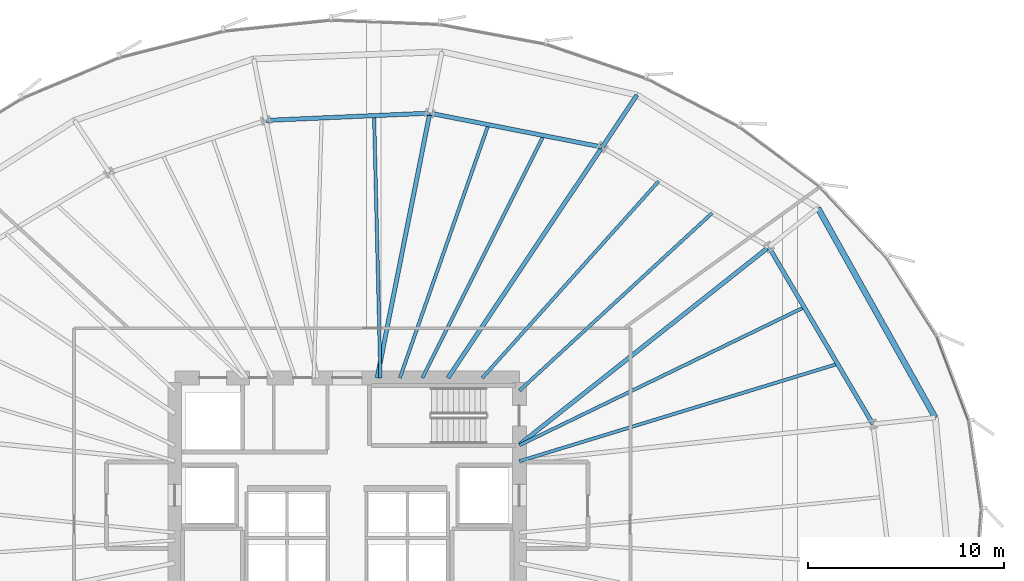
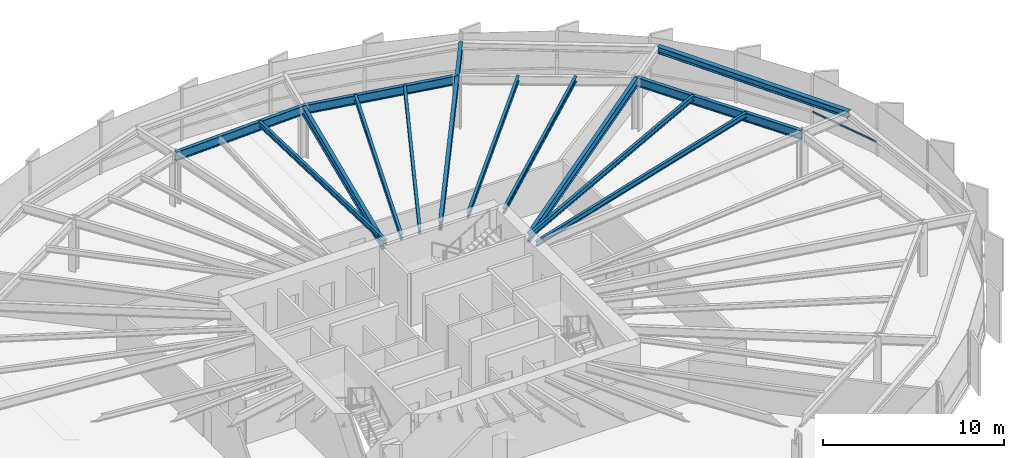
# One storey, part 26 of 42: 15 beams, 1 member, 1 element without a shape of its own.
"""IFC4 building model written with IfcOpenShell, lengths in metres."""

from ifc_helpers import new_model, si_unit, direction, frame, origin, origin_2d, place, context, subcontext, project, spatial, hollow_rectangle, i_section, extrude, source, transform, mapped, material, layer, layer_set, material_profile, profile_set, type_object, element, aggregate, save


model = new_model("IFC4")

# Units and contexts
model_context = context("Model", 3, precision=1e-05, world=origin(), true_north=direction((0.0, 1.0)))
body_context = subcontext(model_context, "Body", "Model", "MODEL_VIEW")
ifc_project = project(units=[si_unit("LENGTHUNIT", "METRE"), si_unit("AREAUNIT", "SQUARE_METRE"), si_unit("VOLUMEUNIT", "CUBIC_METRE"), si_unit("PLANEANGLEUNIT", "RADIAN"), si_unit("MASSUNIT", "GRAM", prefix="KILO"), si_unit("THERMODYNAMICTEMPERATUREUNIT", "KELVIN")], contexts=[model_context])

# Site, building, storey
site_placement = place(None, origin())
site = spatial("IfcSite", under=ifc_project, at=site_placement, CompositionType="ELEMENT")
building_placement = place(site_placement, origin())
building = spatial("IfcBuilding", under=site, at=building_placement, Name="Kethvar Cultural Tower", CompositionType="ELEMENT")
storey_placement = place(building_placement, frame((0.0, 0.0, 37.199951171875)))
storey = spatial("IfcBuildingStorey", under=building, at=storey_placement, Name="L08", CompositionType="ELEMENT", Elevation=37.199951171875)

# Beams
ifc_material_1 = material(Name="Steel S355J2", Category="steel")
ifc_material_profile_1 = material_profile(ifc_material_1, i_section(OverallWidth=0.219970703125, OverallDepth=0.60009765625, WebThickness=0.011962890625, FlangeThickness=0.01904296875, FilletRadius=0.02392578125, at=origin_2d()), Name="Steel S355J2 — IPE600")
ifc_profile_set_1 = profile_set([ifc_material_profile_1], Name="Steel S355J2 — IPE600")
beam_type_1 = type_object("IfcBeamType", Name="BM-IPE600", PredefinedType="BEAM", material=ifc_profile_set_1)
shared_shape_1 = source(origin(), body_context, "Body", "SweptSolid", [
    extrude(i_section(OverallWidth=0.219970703125, OverallDepth=0.60009765625, WebThickness=0.011962890625, FlangeThickness=0.01904296875, FilletRadius=0.02392578125, at=origin_2d()), origin(), (0.0, 0.0, 1.0), 16.248779296875),
])
beam_1_placement = place(storey_placement, frame((55.60009765625, 32.10009765625, 3.248046875), z_axis=(0.783831288624, 0.620973840813, 0.0), x_axis=(-0.620973840813, 0.783831288624, 0.0)))
element("IfcBeam", 1, at=beam_1_placement, inside=storey, type_object=beam_type_1, Name="L08 Primary Radial Beam RB-02", PredefinedType="BEAM", context=body_context, shape_type="MappedRepresentation", body=[
    mapped(shared_shape_1, transform((0.0, 0.0, 0.0), scale=1.0)),
])
shared_shape_2 = source(origin(), body_context, "Body", "SweptSolid", [
    extrude(i_section(OverallWidth=0.219970703125, OverallDepth=0.60009765625, WebThickness=0.011962890625, FlangeThickness=0.01904296875, FilletRadius=0.02392578125, at=origin_2d()), origin(), (0.0, 0.0, 1.0), 14.18359375),
])
beam_2_placement = place(storey_placement, frame((51.945068359375, 35.5, 3.248046875), z_axis=(0.55556584065, 0.831472547174, 0.0), x_axis=(-0.831472547174, 0.55556584065, 0.0)))
element("IfcBeam", 2, at=beam_2_placement, inside=storey, type_object=beam_type_1, Name="L08 Primary Radial Beam RB-03", PredefinedType="BEAM", context=body_context, shape_type="MappedRepresentation", body=[
    mapped(shared_shape_2, transform((0.0, 0.0, 0.0), scale=1.0)),
])
shared_shape_3 = source(origin(), body_context, "Body", "SweptSolid", [
    extrude(i_section(OverallWidth=0.219970703125, OverallDepth=0.60009765625, WebThickness=0.011962890625, FlangeThickness=0.01904296875, FilletRadius=0.02392578125, at=origin_2d()), origin(), (0.0, 0.0, 1.0), 3.2001953125),
])
beam_3_placement = place(storey_placement, frame((59.824951171875, 47.293212890625, 3.248046875), z_axis=(0.555544970406, 0.831486491686, 0.0), x_axis=(-0.831486491686, 0.555544970406, 0.0)))
element("IfcBeam", 3, at=beam_3_placement, inside=storey, type_object=beam_type_1, Name="L08 Perimeter Cantilever Beam RC-03", PredefinedType="BEAM", context=body_context, shape_type="MappedRepresentation", body=[
    mapped(shared_shape_3, transform((0.0, 0.0, 0.0), scale=1.0)),
])
shared_shape_4 = source(origin(), body_context, "Body", "SweptSolid", [
    extrude(i_section(OverallWidth=0.219970703125, OverallDepth=0.60009765625, WebThickness=0.011962890625, FlangeThickness=0.01904296875, FilletRadius=0.02392578125, at=origin_2d()), origin(), (0.0, 0.0, 1.0), 13.791015625),
])
beam_4_placement = place(storey_placement, frame((48.33154296875, 35.5, 3.248046875), z_axis=(0.195104916429, 0.980782377281, 0.0), x_axis=(-0.980782377281, 0.195104916429, 0.0)))
element("IfcBeam", 4, at=beam_4_placement, inside=storey, type_object=beam_type_1, Name="L08 Primary Radial Beam RB-04", PredefinedType="BEAM", context=body_context, shape_type="MappedRepresentation", body=[
    mapped(shared_shape_4, transform((0.0, 0.0, 0.0), scale=1.0)),
])
shared_shape_5 = source(origin(), body_context, "Body", "SweptSolid", [
    extrude(i_section(OverallWidth=0.219970703125, OverallDepth=0.60009765625, WebThickness=0.011962890625, FlangeThickness=0.01904296875, FilletRadius=0.02392578125, at=origin_2d()), origin(), (0.0, 0.0, 1.0), 10.496337890625),
])
beam_5_placement = place(storey_placement, frame((73.65673828125, 33.14208984375, 3.248046875), z_axis=(-0.506871712474, 0.862021500366, 0.0), x_axis=(-0.862021500366, -0.506871712474, 0.0)))
element("IfcBeam", 5, at=beam_5_placement, inside=storey, type_object=beam_type_1, Name="L08 Column Ring Tie Beam CR-01", PredefinedType="BEAM", context=body_context, shape_type="MappedRepresentation", body=[
    mapped(shared_shape_5, transform((0.0, 0.0, 0.0), scale=1.0)),
])
ifc_material_profile_2 = material_profile(ifc_material_1, i_section(OverallWidth=0.169921875, OverallDepth=0.360107421875, WebThickness=0.008056640625, FlangeThickness=0.0126953125, FilletRadius=0.01806640625, at=origin_2d()), Name="Steel S355J2 — IPE360")
ifc_profile_set_2 = profile_set([ifc_material_profile_2], Name="Steel S355J2 — IPE360")
beam_type_2 = type_object("IfcBeamType", Name="BM-J360", PredefinedType="JOIST", material=ifc_profile_set_2)
shared_shape_6 = source(origin(), body_context, "Body", "SweptSolid", [
    extrude(i_section(OverallWidth=0.169921875, OverallDepth=0.360107421875, WebThickness=0.008056640625, FlangeThickness=0.0126953125, FilletRadius=0.01806640625, at=origin_2d()), origin(), (0.0, 0.0, 1.0), 16.990478515625),
])
beam_6_placement = place(storey_placement, frame((55.60009765625, 31.25, 3.3681640625), z_axis=(0.956287408668, 0.292428439149, 0.0), x_axis=(-0.292428439149, 0.956287408668, 0.0)))
element("IfcBeam", 6, at=beam_6_placement, inside=storey, type_object=beam_type_2, Name="L08 Composite Floor Joist J-01A", PredefinedType="JOIST", context=body_context, shape_type="MappedRepresentation", body=[
    mapped(shared_shape_6, transform((0.0, 0.0, 0.0), scale=1.0)),
])
shared_shape_7 = source(origin(), body_context, "Body", "SweptSolid", [
    extrude(i_section(OverallWidth=0.169921875, OverallDepth=0.360107421875, WebThickness=0.008056640625, FlangeThickness=0.0126953125, FilletRadius=0.01806640625, at=origin_2d()), origin(), (0.0, 0.0, 1.0), 16.163330078125),
])
beam_7_placement = place(storey_placement, frame((55.60009765625, 32.064697265625, 3.3681640625), z_axis=(0.899890099721, 0.436116737151, 0.0), x_axis=(-0.436116737151, 0.899890099721, 0.0)))
element("IfcBeam", 7, at=beam_7_placement, inside=storey, type_object=beam_type_2, Name="L08 Composite Floor Joist J-01B", PredefinedType="JOIST", context=body_context, shape_type="MappedRepresentation", body=[
    mapped(shared_shape_7, transform((0.0, 0.0, 0.0), scale=1.0)),
])
shared_shape_8 = source(origin(), body_context, "Body", "SweptSolid", [
    extrude(i_section(OverallWidth=0.169921875, OverallDepth=0.360107421875, WebThickness=0.008056640625, FlangeThickness=0.0126953125, FilletRadius=0.01806640625, at=origin_2d()), origin(), (0.0, 0.0, 1.0), 13.3876953125),
])
beam_8_placement = place(storey_placement, frame((55.60009765625, 34.85009765625, 3.3681640625), z_axis=(0.735175283276, 0.677877055859, 0.0), x_axis=(-0.677877055859, 0.735175283276, 0.0)))
element("IfcBeam", 8, at=beam_8_placement, inside=storey, type_object=beam_type_2, Name="L08 Composite Floor Joist J-02A", PredefinedType="JOIST", context=body_context, shape_type="MappedRepresentation", body=[
    mapped(shared_shape_8, transform((0.0, 0.0, 0.0), scale=1.0)),
])
shared_shape_9 = source(origin(), body_context, "Body", "SweptSolid", [
    extrude(i_section(OverallWidth=0.169921875, OverallDepth=0.360107421875, WebThickness=0.008056640625, FlangeThickness=0.0126953125, FilletRadius=0.01806640625, at=origin_2d()), origin(), (0.0, 0.0, 1.0), 13.508056640625),
])
beam_9_placement = place(storey_placement, frame((53.702392578125, 35.5, 3.3681640625), z_axis=(0.667503553274, 0.744606611821, 0.0), x_axis=(-0.744606611821, 0.667503553274, 0.0)))
element("IfcBeam", 9, at=beam_9_placement, inside=storey, type_object=beam_type_2, Name="L08 Composite Floor Joist J-02B", PredefinedType="JOIST", context=body_context, shape_type="MappedRepresentation", body=[
    mapped(shared_shape_9, transform((0.0, 0.0, 0.0), scale=1.0)),
])
shared_shape_10 = source(origin(), body_context, "Body", "SweptSolid", [
    extrude(i_section(OverallWidth=0.219970703125, OverallDepth=0.60009765625, WebThickness=0.011962890625, FlangeThickness=0.01904296875, FilletRadius=0.02392578125, at=origin_2d()), origin(), (0.0, 0.0, 1.0), 8.9716796875),
])
beam_10_placement = place(storey_placement, frame((59.824951171875, 47.293212890625, 3.248046875), z_axis=(-0.981173751046, 0.193127083181, 0.0), x_axis=(-0.193127083181, -0.981173751046, 0.0)))
element("IfcBeam", 10, at=beam_10_placement, inside=storey, type_object=beam_type_1, Name="L08 Column Ring Tie Beam CR-03", PredefinedType="BEAM", context=body_context, shape_type="MappedRepresentation", body=[
    mapped(shared_shape_10, transform((0.0, 0.0, 0.0), scale=1.0)),
])
shared_shape_11 = source(origin(), body_context, "Body", "SweptSolid", [
    extrude(i_section(OverallWidth=0.169921875, OverallDepth=0.360107421875, WebThickness=0.008056640625, FlangeThickness=0.0126953125, FilletRadius=0.01806640625, at=origin_2d()), origin(), (0.0, 0.0, 1.0), 13.84130859375),
])
beam_11_placement = place(storey_placement, frame((50.646484375, 35.5, 3.3681640625), z_axis=(0.446889017672, 0.894589406311, 0.0), x_axis=(-0.894589406311, 0.446889017672, 0.0)))
element("IfcBeam", 11, at=beam_11_placement, inside=storey, type_object=beam_type_2, Name="L08 Composite Floor Joist J-03A", PredefinedType="JOIST", context=body_context, shape_type="MappedRepresentation", body=[
    mapped(shared_shape_11, transform((0.0, 0.0, 0.0), scale=1.0)),
])
shared_shape_12 = source(origin(), body_context, "Body", "SweptSolid", [
    extrude(i_section(OverallWidth=0.169921875, OverallDepth=0.360107421875, WebThickness=0.008056640625, FlangeThickness=0.0126953125, FilletRadius=0.01806640625, at=origin_2d()), origin(), (0.0, 0.0, 1.0), 13.70458984375),
])
beam_12_placement = place(storey_placement, frame((49.4921875, 35.5, 3.3681640625), z_axis=(0.330030618422, 0.943970227764, 0.0), x_axis=(-0.943970227764, 0.330030618422, 0.0)))
element("IfcBeam", 12, at=beam_12_placement, inside=storey, type_object=beam_type_2, Name="L08 Composite Floor Joist J-03B", PredefinedType="JOIST", context=body_context, shape_type="MappedRepresentation", body=[
    mapped(shared_shape_12, transform((0.0, 0.0, 0.0), scale=1.0)),
])
shared_shape_13 = source(origin(), body_context, "Body", "SweptSolid", [
    extrude(i_section(OverallWidth=0.219970703125, OverallDepth=0.60009765625, WebThickness=0.011962890625, FlangeThickness=0.01904296875, FilletRadius=0.02392578125, at=origin_2d()), origin(), (0.0, 0.0, 1.0), 8.378662109375),
])
beam_13_placement = place(storey_placement, frame((51.022216796875, 49.02587890625, 3.248046875), z_axis=(-0.999023890534, -0.04417313825, 0.0), x_axis=(0.04417313825, -0.999023890534, 0.0)))
element("IfcBeam", 13, at=beam_13_placement, inside=storey, type_object=beam_type_1, Name="L08 Column Ring Tie Beam CR-04", PredefinedType="BEAM", context=body_context, shape_type="MappedRepresentation", body=[
    mapped(shared_shape_13, transform((0.0, 0.0, 0.0), scale=1.0)),
])
shared_shape_14 = source(origin(), body_context, "Body", "SweptSolid", [
    extrude(i_section(OverallWidth=0.169921875, OverallDepth=0.360107421875, WebThickness=0.008056640625, FlangeThickness=0.0126953125, FilletRadius=0.01806640625, at=origin_2d()), origin(), (0.0, 0.0, 1.0), 13.40380859375),
])
beam_14_placement = place(storey_placement, frame((48.5, 35.5, 3.3681640625), z_axis=(-0.024170322554, 0.999707855079, 0.0), x_axis=(-0.999707855079, -0.024170322554, 0.0)))
element("IfcBeam", 14, at=beam_14_placement, inside=storey, type_object=beam_type_2, Name="L08 Composite Floor Joist J-04A", PredefinedType="JOIST", context=body_context, shape_type="MappedRepresentation", body=[
    mapped(shared_shape_14, transform((0.0, 0.0, 0.0), scale=1.0)),
])
ifc_material_profile_3 = material_profile(ifc_material_1, i_section(OverallWidth=0.300048828125, OverallDepth=0.449951171875, WebThickness=0.013916015625, FlangeThickness=0.02587890625, FilletRadius=0.027099609375, at=origin_2d()), Name="Steel S355J2 — HEB450")
ifc_profile_set_3 = profile_set([ifc_material_profile_3], Name="Steel S355J2 — HEB450")
beam_type_3 = type_object("IfcBeamType", Name="BM-SP450", PredefinedType="SPANDREL", material=ifc_profile_set_3)
shared_shape_15 = source(origin(), body_context, "Body", "SweptSolid", [
    extrude(i_section(OverallWidth=0.300048828125, OverallDepth=0.449951171875, WebThickness=0.013916015625, FlangeThickness=0.02587890625, FilletRadius=0.027099609375, at=origin_2d()), origin(), (0.0, 0.0, 1.0), 12.266357421875),
])
beam_15_placement = place(storey_placement, frame((76.83935546875, 33.4755859375, 3.322998046875), z_axis=(-0.488708822027, 0.872446953845, 0.0), x_axis=(-0.872446953845, -0.488708822027, 0.0)))
element("IfcBeam", 15, at=beam_15_placement, inside=storey, type_object=beam_type_3, Name="L08 Perimeter Spandrel Beam SP-01", PredefinedType="SPANDREL", context=body_context, shape_type="MappedRepresentation", body=[
    mapped(shared_shape_15, transform((0.0, 0.0, 0.0), scale=1.0)),
])

# Curtain wall, member
ifc_material_2 = material(Name="Aluminium 6063-T6", Category="aluminium")
ifc_layer = layer(ifc_material_2, 0.179931640625, Name="Aluminium 6063-T6", Category="aluminium")
ifc_layer_set = layer_set([ifc_layer], Name="Aluminium 6063-T6 (180 mm)")
curtain_wall_type = type_object("IfcCurtainWallType", Name="CW-SYS-02-Z1", PredefinedType="NOTDEFINED", material=ifc_layer_set)
curtain_wall_placement = place(storey_placement, origin())
curtain_wall = element("IfcCurtainWall", 16, at=curtain_wall_placement, inside=storey, type_object=curtain_wall_type, Name="L08 Curtain Wall Run 01", PredefinedType="NOTDEFINED")
ifc_material_profile_4 = material_profile(ifc_material_2, hollow_rectangle(XDim=0.054931640625, YDim=0.1201171875, WallThickness=0.00390625, at=origin_2d()), Name="Aluminium 6063-T6 — RHS120x55x4")
ifc_profile_set_4 = profile_set([ifc_material_profile_4], Name="Aluminium 6063-T6 — RHS120x55x4")
member_type = type_object("IfcMemberType", Name="CW-SYS-02-Z1-TRN", PredefinedType="USERDEFINED", material=ifc_profile_set_4)
shared_shape_16 = source(origin(), body_context, "Body", "SweptSolid", [
    extrude(hollow_rectangle(XDim=0.054931640625, YDim=0.1201171875, WallThickness=0.00390625, at=origin_2d()), origin(), (0.0, 0.0, 1.0), 4.55029296875),
])
member_placement = place(storey_placement, frame((78.52001953125, 33.33349609375, 0.949951171875), z_axis=(-0.354660703967, 0.934995072213, 0.0), x_axis=(-0.934995072213, -0.354660703967, 0.0)))
member = element("IfcMember", 17, at=member_placement, type_object=member_type, Name="CW-L08-R01 Transom 2", ObjectType="TRANSOM", PredefinedType="USERDEFINED", context=body_context, shape_type="MappedRepresentation", body=[
    mapped(shared_shape_16, transform((0.0, 0.0, 0.0), scale=1.0)),
])
aggregate(curtain_wall, [member])

save(model, "model.ifc")
